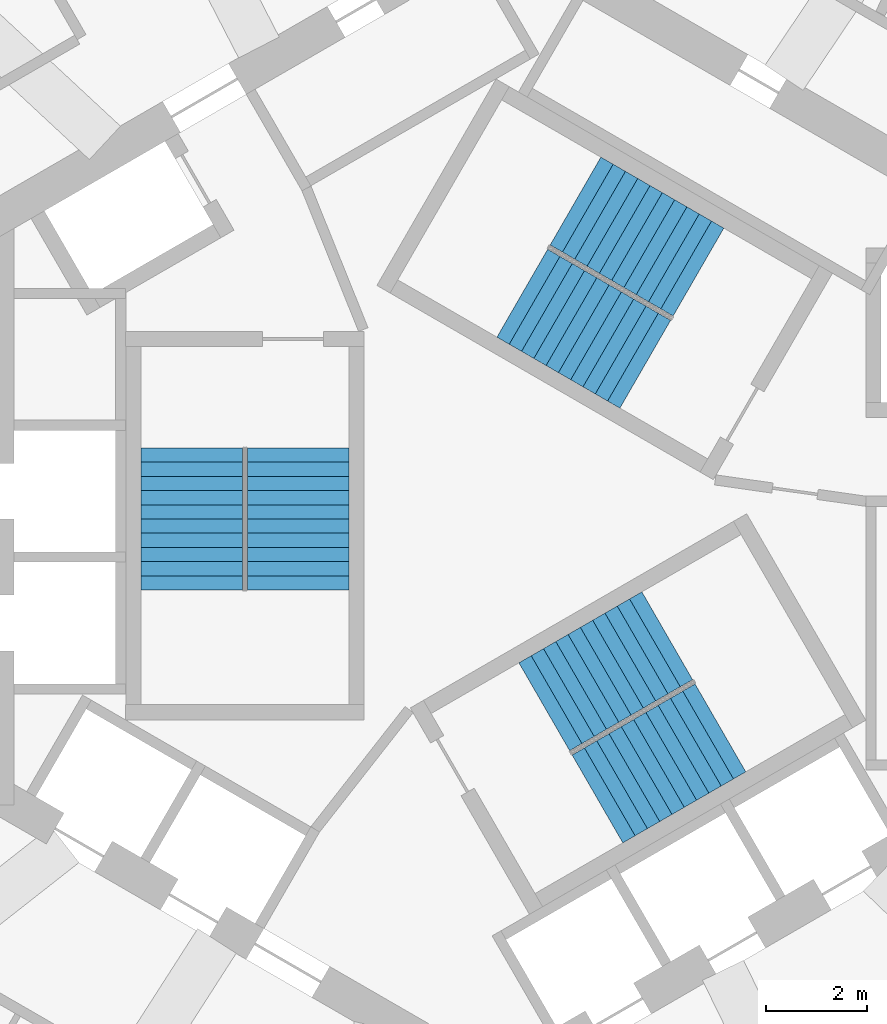
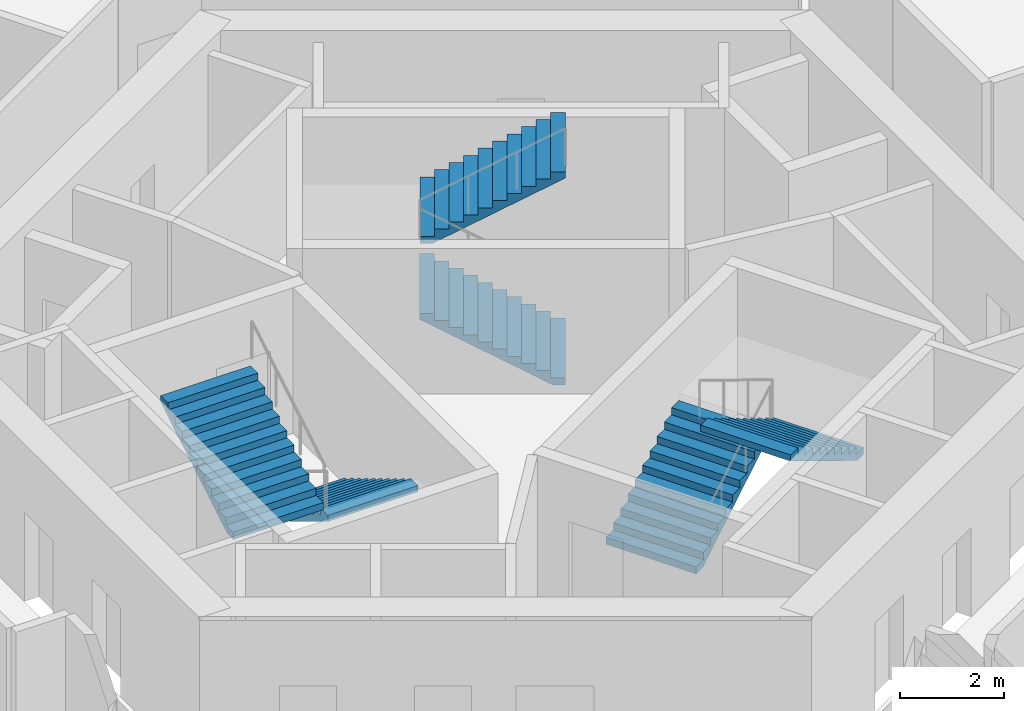
# One storey, part 9 of 11: 6 stair flights, 3 elements without a shape of their own.
"""IFC4 building model written with IfcOpenShell, lengths in metres."""

from ifc_helpers import new_model, si_unit, direction, frame, origin, place, context, subcontext, project, spatial, triangles, source, transform, mapped, material, type_object, element, aggregate, save


model = new_model("IFC4")

# Units and contexts
model_context = context("Model", 3, precision=1e-05, world=origin(), true_north=direction((0.0, 1.0)))
body_context = subcontext(model_context, "Body", "Model", "MODEL_VIEW")
ifc_project = project(units=[si_unit("LENGTHUNIT", "METRE"), si_unit("AREAUNIT", "SQUARE_METRE"), si_unit("VOLUMEUNIT", "CUBIC_METRE"), si_unit("PLANEANGLEUNIT", "RADIAN"), si_unit("MASSUNIT", "GRAM", prefix="KILO")], contexts=[model_context])

# Site, building, storey
site_placement = place(None, origin())
site = spatial("IfcSite", under=ifc_project, at=site_placement, CompositionType="ELEMENT")
building_placement = place(site_placement, origin())
building = spatial("IfcBuilding", under=site, at=building_placement, Name="Vanh Sen Convention Tower", CompositionType="ELEMENT")
storey_placement = place(building_placement, frame((0.0, 0.0, 289.39990234375)))
storey = spatial("IfcBuildingStorey", under=building, at=storey_placement, Name="L71", CompositionType="ELEMENT", Elevation=289.39990234375)

# Stair, stair flights
ifc_material_1 = material(Name="Concrete C50/60", Category="concrete")
stair_type_1 = type_object("IfcStairType", Name="Exit stair ST1 22 risers at 168.2", PredefinedType="HALF_TURN_STAIR", material=ifc_material_1)
stair_1_placement = place(storey_placement, origin())
stair_1 = element("IfcStair", 1, at=stair_1_placement, inside=storey, type_object=stair_type_1, Name="Exit stair ST1 L71", PredefinedType="HALF_TURN_STAIR")
ifc_material_2 = material(Name="Concrete C40/50", Category="concrete")
stair_flight_type = type_object("IfcStairFlightType", Name="Stair flight 2000", PredefinedType="STRAIGHT", material=ifc_material_2)
shared_shape = source(origin(), body_context, "Body", "Tessellation", [
    triangles([(0.24267578125, 1.0, 0.0), (0.0, 1.0, 0.0), (0.0, 1.0, 0.168212890625), (0.280029296875, 1.0, 0.168212890625), (0.280029296875, 1.0, 0.33642578125), (0.56005859375, 1.0, 0.33642578125), (0.56005859375, 1.0, 0.504638671875), (0.840087890625, 1.0, 0.504638671875), (0.840087890625, 1.0, 0.672607421875), (1.1201171875, 1.0, 0.672607421875), (1.1201171875, 1.0, 0.8408203125), (1.39990234375, 1.0, 0.8408203125), (1.39990234375, 1.0, 1.009033203125), (1.679931640625, 1.0, 1.009033203125), (1.679931640625, 1.0, 1.17724609375), (1.9599609375, 1.0, 1.17724609375), (1.9599609375, 1.0, 1.345458984375), (2.239990234375, 1.0, 1.345458984375), (2.239990234375, 1.0, 1.513671875), (2.52001953125, 1.0, 1.513671875), (2.52001953125, 1.0, 1.681884765625), (2.800048828125, 1.0, 1.681884765625), (2.800048828125, 1.0, 1.535888671875), (0.24267578125, -1.0, 0.0), (0.0, -1.0, 0.0), (0.0, -1.0, 0.168212890625), (0.280029296875, -1.0, 0.168212890625), (0.280029296875, -1.0, 0.33642578125), (0.56005859375, -1.0, 0.33642578125), (0.56005859375, -1.0, 0.504638671875), (0.840087890625, -1.0, 0.504638671875), (0.840087890625, -1.0, 0.672607421875), (1.1201171875, -1.0, 0.672607421875), (1.1201171875, -1.0, 0.8408203125), (1.39990234375, -1.0, 0.8408203125), (1.39990234375, -1.0, 1.009033203125), (1.679931640625, -1.0, 1.009033203125), (1.679931640625, -1.0, 1.17724609375), (1.9599609375, -1.0, 1.17724609375), (1.9599609375, -1.0, 1.345458984375), (2.239990234375, -1.0, 1.345458984375), (2.239990234375, -1.0, 1.513671875), (2.52001953125, -1.0, 1.513671875), (2.52001953125, -1.0, 1.681884765625), (2.800048828125, -1.0, 1.681884765625), (2.800048828125, -1.0, 1.535888671875), (0.0, 0.0400390625, 0.0), (0.0, 0.0390625, 0.0), (0.0, 0.0380859375, 0.0), (0.0, 0.037109375, 0.0), (0.0, 0.035888671875, 0.0), (0.0, 0.034912109375, 0.0), (0.0, 0.033935546875, 0.0), (0.0, 0.032958984375, 0.0), (0.0, 0.031982421875, 0.0), (0.0, 0.031005859375, 0.0), (0.0, 0.030029296875, 0.0), (0.0, 0.029052734375, 0.0), (0.0, 0.028076171875, 0.0), (0.0, 0.027099609375, 0.0), (0.0, 0.02587890625, 0.0), (0.0, 0.02490234375, 0.0), (0.0, 0.02392578125, 0.0), (0.0, 0.02294921875, 0.0), (0.0, 0.02197265625, 0.0), (0.0, 0.02099609375, 0.0), (0.0, 0.02001953125, 0.0), (0.0, 0.01904296875, 0.0), (0.0, 0.01806640625, 0.0), (0.0, 0.01708984375, 0.0), (0.0, 0.01611328125, 0.0), (0.0, 0.014892578125, 0.0), (0.0, 0.013916015625, 0.0), (0.0, 0.012939453125, 0.0), (0.0, 0.011962890625, 0.0), (0.0, 0.010986328125, 0.0), (0.0, 0.010009765625, 0.0), (0.0, 0.009033203125, 0.0), (0.0, 0.008056640625, 0.0), (0.0, 0.007080078125, 0.0), (0.0, 0.006103515625, 0.0), (0.0, 0.0048828125, 0.0), (0.0, 0.00390625, 0.0), (0.0, 0.0029296875, 0.0), (0.0, 0.001953125, 0.0), (0.0, 0.0009765625, 0.0), (0.0, 0.0, 0.0), (0.0, -0.0009765625, 0.0), (0.0, -0.001953125, 0.0), (0.0, -0.0029296875, 0.0), (0.0, -0.00390625, 0.0), (0.0, -0.0048828125, 0.0), (0.0, -0.006103515625, 0.0), (0.0, -0.007080078125, 0.0), (0.0, -0.008056640625, 0.0), (0.0, -0.009033203125, 0.0), (0.0, -0.010009765625, 0.0), (0.0, -0.010986328125, 0.0), (0.0, -0.011962890625, 0.0), (0.0, -0.012939453125, 0.0), (0.0, -0.013916015625, 0.0), (0.0, -0.014892578125, 0.0), (0.0, -0.01611328125, 0.0), (0.0, -0.01708984375, 0.0), (0.0, -0.01806640625, 0.0), (0.0, -0.01904296875, 0.0), (0.0, -0.02001953125, 0.0), (0.0, -0.02099609375, 0.0), (0.0, -0.02197265625, 0.0), (0.0, -0.02294921875, 0.0), (0.0, -0.02392578125, 0.0), (0.0, -0.02490234375, 0.0), (0.0, -0.02587890625, 0.0), (0.0, -0.027099609375, 0.0), (0.0, -0.028076171875, 0.0), (0.0, -0.029052734375, 0.0), (0.0, -0.030029296875, 0.0), (0.0, -0.031005859375, 0.0), (0.0, -0.031982421875, 0.0), (0.0, -0.032958984375, 0.0), (0.0, -0.033935546875, 0.0), (0.0, -0.034912109375, 0.0), (0.0, -0.035888671875, 0.0), (0.0, -0.037109375, 0.0), (0.0, -0.0380859375, 0.0), (0.0, -0.0390625, 0.0), (0.0, -0.0400390625, 0.0), (0.0, 0.0400390625, 0.168212890625), (0.0, 0.0390625, 0.168212890625), (0.0, 0.0380859375, 0.168212890625), (0.0, 0.037109375, 0.168212890625), (0.0, 0.035888671875, 0.168212890625), (0.0, 0.034912109375, 0.168212890625), (0.0, 0.033935546875, 0.168212890625), (0.0, 0.032958984375, 0.168212890625), (0.0, 0.031982421875, 0.168212890625), (0.0, 0.031005859375, 0.168212890625), (0.0, 0.030029296875, 0.168212890625), (0.0, 0.029052734375, 0.168212890625), (0.0, 0.028076171875, 0.168212890625), (0.0, 0.027099609375, 0.168212890625), (0.0, 0.02587890625, 0.168212890625), (0.0, 0.02490234375, 0.168212890625), (0.0, 0.02392578125, 0.168212890625), (0.0, 0.02294921875, 0.168212890625), (0.0, 0.02197265625, 0.168212890625), (0.0, 0.02099609375, 0.168212890625), (0.0, 0.02001953125, 0.168212890625), (0.0, 0.01904296875, 0.168212890625), (0.0, 0.01806640625, 0.168212890625), (0.0, 0.01708984375, 0.168212890625), (0.0, 0.01611328125, 0.168212890625), (0.0, 0.014892578125, 0.168212890625), (0.0, 0.013916015625, 0.168212890625), (0.0, 0.012939453125, 0.168212890625), (0.0, 0.011962890625, 0.168212890625), (0.0, 0.010986328125, 0.168212890625), (0.0, 0.010009765625, 0.168212890625), (0.0, 0.009033203125, 0.168212890625), (0.0, 0.008056640625, 0.168212890625), (0.0, 0.007080078125, 0.168212890625), (0.0, 0.006103515625, 0.168212890625), (0.0, 0.0048828125, 0.168212890625), (0.0, 0.00390625, 0.168212890625), (0.0, 0.0029296875, 0.168212890625), (0.0, 0.001953125, 0.168212890625), (0.0, 0.0009765625, 0.168212890625), (0.0, 0.0, 0.168212890625), (0.0, -0.0009765625, 0.168212890625), (0.0, -0.001953125, 0.168212890625), (0.0, -0.0029296875, 0.168212890625), (0.0, -0.00390625, 0.168212890625), (0.0, -0.0048828125, 0.168212890625), (0.0, -0.006103515625, 0.168212890625), (0.0, -0.007080078125, 0.168212890625), (0.0, -0.008056640625, 0.168212890625), (0.0, -0.009033203125, 0.168212890625), (0.0, -0.010009765625, 0.168212890625), (0.0, -0.010986328125, 0.168212890625), (0.0, -0.011962890625, 0.168212890625), (0.0, -0.012939453125, 0.168212890625), (0.0, -0.013916015625, 0.168212890625), (0.0, -0.014892578125, 0.168212890625), (0.0, -0.01611328125, 0.168212890625), (0.0, -0.01708984375, 0.168212890625), (0.0, -0.01806640625, 0.168212890625), (0.0, -0.01904296875, 0.168212890625), (0.0, -0.02001953125, 0.168212890625), (0.0, -0.02099609375, 0.168212890625), (0.0, -0.02197265625, 0.168212890625), (0.0, -0.02294921875, 0.168212890625), (0.0, -0.02392578125, 0.168212890625), (0.0, -0.02490234375, 0.168212890625), (0.0, -0.02587890625, 0.168212890625), (0.0, -0.027099609375, 0.168212890625), (0.0, -0.028076171875, 0.168212890625), (0.0, -0.029052734375, 0.168212890625), (0.0, -0.030029296875, 0.168212890625), (0.0, -0.031005859375, 0.168212890625), (0.0, -0.031982421875, 0.168212890625), (0.0, -0.032958984375, 0.168212890625), (0.0, -0.033935546875, 0.168212890625), (0.0, -0.034912109375, 0.168212890625), (0.0, -0.035888671875, 0.168212890625), (0.0, -0.037109375, 0.168212890625), (0.0, -0.0380859375, 0.168212890625), (0.0, -0.0390625, 0.168212890625), (0.0, -0.0400390625, 0.168212890625), (0.280029296875, 0.0, 0.168212890625), (0.280029296875, 0.0, 0.33642578125), (0.56005859375, 0.0, 0.33642578125), (0.56005859375, 0.0, 0.504638671875), (0.840087890625, 0.0, 0.504638671875), (0.840087890625, 0.0, 0.672607421875), (1.1201171875, 0.0, 0.672607421875), (1.1201171875, 0.0, 0.8408203125), (1.39990234375, 0.0, 0.8408203125), (1.39990234375, 0.0, 1.009033203125), (1.679931640625, 0.0, 1.009033203125), (1.679931640625, 0.0, 1.17724609375), (1.9599609375, 0.0, 1.17724609375), (1.9599609375, 0.0, 1.345458984375), (2.239990234375, 0.0, 1.345458984375), (2.239990234375, 0.0, 1.513671875), (2.52001953125, 0.0, 1.513671875), (2.52001953125, 0.0, 1.681884765625), (2.800048828125, 0.0400390625, 1.681884765625), (2.800048828125, 0.0390625, 1.681884765625), (2.800048828125, 0.0380859375, 1.681884765625), (2.800048828125, 0.037109375, 1.681884765625), (2.800048828125, 0.035888671875, 1.681884765625), (2.800048828125, 0.034912109375, 1.681884765625), (2.800048828125, 0.033935546875, 1.681884765625), (2.800048828125, 0.032958984375, 1.681884765625), (2.800048828125, 0.031982421875, 1.681884765625), (2.800048828125, 0.031005859375, 1.681884765625), (2.800048828125, 0.030029296875, 1.681884765625), (2.800048828125, 0.029052734375, 1.681884765625), (2.800048828125, 0.028076171875, 1.681884765625), (2.800048828125, 0.027099609375, 1.681884765625), (2.800048828125, 0.02587890625, 1.681884765625), (2.800048828125, 0.02490234375, 1.681884765625), (2.800048828125, 0.02392578125, 1.681884765625), (2.800048828125, 0.02294921875, 1.681884765625), (2.800048828125, 0.02197265625, 1.681884765625), (2.800048828125, 0.02099609375, 1.681884765625), (2.800048828125, 0.02001953125, 1.681884765625), (2.800048828125, 0.01904296875, 1.681884765625), (2.800048828125, 0.01806640625, 1.681884765625), (2.800048828125, 0.01708984375, 1.681884765625), (2.800048828125, 0.01611328125, 1.681884765625), (2.800048828125, 0.014892578125, 1.681884765625), (2.800048828125, 0.013916015625, 1.681884765625), (2.800048828125, 0.012939453125, 1.681884765625), (2.800048828125, 0.011962890625, 1.681884765625), (2.800048828125, 0.010986328125, 1.681884765625), (2.800048828125, 0.010009765625, 1.681884765625), (2.800048828125, 0.009033203125, 1.681884765625), (2.800048828125, 0.008056640625, 1.681884765625), (2.800048828125, 0.007080078125, 1.681884765625), (2.800048828125, 0.006103515625, 1.681884765625), (2.800048828125, 0.0048828125, 1.681884765625), (2.800048828125, 0.00390625, 1.681884765625), (2.800048828125, 0.0029296875, 1.681884765625), (2.800048828125, 0.001953125, 1.681884765625), (2.800048828125, 0.0009765625, 1.681884765625), (2.800048828125, 0.0, 1.681884765625), (2.800048828125, -0.0009765625, 1.681884765625), (2.800048828125, -0.001953125, 1.681884765625), (2.800048828125, -0.0029296875, 1.681884765625), (2.800048828125, -0.00390625, 1.681884765625), (2.800048828125, -0.0048828125, 1.681884765625), (2.800048828125, -0.006103515625, 1.681884765625), (2.800048828125, -0.007080078125, 1.681884765625), (2.800048828125, -0.008056640625, 1.681884765625), (2.800048828125, -0.009033203125, 1.681884765625), (2.800048828125, -0.010009765625, 1.681884765625), (2.800048828125, -0.010986328125, 1.681884765625), (2.800048828125, -0.011962890625, 1.681884765625), (2.800048828125, -0.012939453125, 1.681884765625), (2.800048828125, -0.013916015625, 1.681884765625), (2.800048828125, -0.014892578125, 1.681884765625), (2.800048828125, -0.01611328125, 1.681884765625), (2.800048828125, -0.01708984375, 1.681884765625), (2.800048828125, -0.01806640625, 1.681884765625), (2.800048828125, -0.01904296875, 1.681884765625), (2.800048828125, -0.02001953125, 1.681884765625), (2.800048828125, -0.02099609375, 1.681884765625), (2.800048828125, -0.02197265625, 1.681884765625), (2.800048828125, -0.02294921875, 1.681884765625), (2.800048828125, -0.02392578125, 1.681884765625), (2.800048828125, -0.02490234375, 1.681884765625), (2.800048828125, -0.02587890625, 1.681884765625), (2.800048828125, -0.027099609375, 1.681884765625), (2.800048828125, -0.028076171875, 1.681884765625), (2.800048828125, -0.029052734375, 1.681884765625), (2.800048828125, -0.030029296875, 1.681884765625), (2.800048828125, -0.031005859375, 1.681884765625), (2.800048828125, -0.031982421875, 1.681884765625), (2.800048828125, -0.032958984375, 1.681884765625), (2.800048828125, -0.033935546875, 1.681884765625), (2.800048828125, -0.034912109375, 1.681884765625), (2.800048828125, -0.035888671875, 1.681884765625), (2.800048828125, -0.037109375, 1.681884765625), (2.800048828125, -0.0380859375, 1.681884765625), (2.800048828125, -0.0390625, 1.681884765625), (2.800048828125, -0.0400390625, 1.681884765625), (2.800048828125, 0.0400390625, 1.535888671875), (2.800048828125, 0.0390625, 1.535888671875), (2.800048828125, 0.0380859375, 1.535888671875), (2.800048828125, 0.037109375, 1.535888671875), (2.800048828125, 0.035888671875, 1.535888671875), (2.800048828125, 0.034912109375, 1.535888671875), (2.800048828125, 0.033935546875, 1.535888671875), (2.800048828125, 0.032958984375, 1.535888671875), (2.800048828125, 0.031982421875, 1.535888671875), (2.800048828125, 0.031005859375, 1.535888671875), (2.800048828125, 0.030029296875, 1.535888671875), (2.800048828125, 0.029052734375, 1.535888671875), (2.800048828125, 0.028076171875, 1.535888671875), (2.800048828125, 0.027099609375, 1.535888671875), (2.800048828125, 0.02587890625, 1.535888671875), (2.800048828125, 0.02490234375, 1.535888671875), (2.800048828125, 0.02392578125, 1.535888671875), (2.800048828125, 0.02294921875, 1.535888671875), (2.800048828125, 0.02197265625, 1.535888671875), (2.800048828125, 0.02099609375, 1.535888671875), (2.800048828125, 0.02001953125, 1.535888671875), (2.800048828125, 0.01904296875, 1.535888671875), (2.800048828125, 0.01806640625, 1.535888671875), (2.800048828125, 0.01708984375, 1.535888671875), (2.800048828125, 0.01611328125, 1.535888671875), (2.800048828125, 0.014892578125, 1.535888671875), (2.800048828125, 0.013916015625, 1.535888671875), (2.800048828125, 0.012939453125, 1.535888671875), (2.800048828125, 0.011962890625, 1.535888671875), (2.800048828125, 0.010986328125, 1.535888671875), (2.800048828125, 0.010009765625, 1.535888671875), (2.800048828125, 0.009033203125, 1.535888671875), (2.800048828125, 0.008056640625, 1.535888671875), (2.800048828125, 0.007080078125, 1.535888671875), (2.800048828125, 0.006103515625, 1.535888671875), (2.800048828125, 0.0048828125, 1.535888671875), (2.800048828125, 0.00390625, 1.535888671875), (2.800048828125, 0.0029296875, 1.535888671875), (2.800048828125, 0.001953125, 1.535888671875), (2.800048828125, 0.0009765625, 1.535888671875), (2.800048828125, 0.0, 1.535888671875), (2.800048828125, -0.0009765625, 1.535888671875), (2.800048828125, -0.001953125, 1.535888671875), (2.800048828125, -0.0029296875, 1.535888671875), (2.800048828125, -0.00390625, 1.535888671875), (2.800048828125, -0.0048828125, 1.535888671875), (2.800048828125, -0.006103515625, 1.535888671875), (2.800048828125, -0.007080078125, 1.535888671875), (2.800048828125, -0.008056640625, 1.535888671875), (2.800048828125, -0.009033203125, 1.535888671875), (2.800048828125, -0.010009765625, 1.535888671875), (2.800048828125, -0.010986328125, 1.535888671875), (2.800048828125, -0.011962890625, 1.535888671875), (2.800048828125, -0.012939453125, 1.535888671875), (2.800048828125, -0.013916015625, 1.535888671875), (2.800048828125, -0.014892578125, 1.535888671875), (2.800048828125, -0.01611328125, 1.535888671875), (2.800048828125, -0.01708984375, 1.535888671875), (2.800048828125, -0.01806640625, 1.535888671875), (2.800048828125, -0.01904296875, 1.535888671875), (2.800048828125, -0.02001953125, 1.535888671875), (2.800048828125, -0.02099609375, 1.535888671875), (2.800048828125, -0.02197265625, 1.535888671875), (2.800048828125, -0.02294921875, 1.535888671875), (2.800048828125, -0.02392578125, 1.535888671875), (2.800048828125, -0.02490234375, 1.535888671875), (2.800048828125, -0.02587890625, 1.535888671875), (2.800048828125, -0.027099609375, 1.535888671875), (2.800048828125, -0.028076171875, 1.535888671875), (2.800048828125, -0.029052734375, 1.535888671875), (2.800048828125, -0.030029296875, 1.535888671875), (2.800048828125, -0.031005859375, 1.535888671875), (2.800048828125, -0.031982421875, 1.535888671875), (2.800048828125, -0.032958984375, 1.535888671875), (2.800048828125, -0.033935546875, 1.535888671875), (2.800048828125, -0.034912109375, 1.535888671875), (2.800048828125, -0.035888671875, 1.535888671875), (2.800048828125, -0.037109375, 1.535888671875), (2.800048828125, -0.0380859375, 1.535888671875), (2.800048828125, -0.0390625, 1.535888671875), (2.800048828125, -0.0400390625, 1.535888671875), (0.24267578125, 0.0, 0.0)], [[1, 2, 3], [1, 3, 4], [4, 5, 6], [1, 4, 6], [6, 7, 8], [1, 6, 8], [8, 9, 10], [1, 8, 10], [10, 11, 12], [1, 10, 12], [12, 13, 14], [1, 12, 14], [14, 15, 16], [1, 14, 16], [16, 17, 18], [1, 16, 18], [18, 19, 20], [1, 18, 20], [20, 21, 22], [1, 20, 22], [22, 23, 1], [24, 26, 25], [24, 27, 26], [27, 29, 28], [24, 29, 27], [29, 31, 30], [24, 31, 29], [31, 33, 32], [24, 33, 31], [33, 35, 34], [24, 35, 33], [35, 37, 36], [24, 37, 35], [37, 39, 38], [24, 39, 37], [39, 41, 40], [24, 41, 39], [41, 43, 42], [24, 43, 41], [43, 45, 44], [24, 45, 43], [45, 24, 46], [2, 128, 3], [2, 47, 128], [47, 129, 128], [47, 48, 129], [48, 130, 129], [48, 49, 130], [49, 131, 130], [49, 50, 131], [50, 132, 131], [50, 51, 132], [51, 133, 132], [51, 52, 133], [52, 134, 133], [52, 53, 134], [53, 135, 134], [53, 54, 135], [54, 136, 135], [54, 55, 136], [55, 137, 136], [55, 56, 137], [56, 138, 137], [56, 57, 138], [57, 139, 138], [57, 58, 139], [58, 140, 139], [58, 59, 140], [59, 141, 140], [59, 60, 141], [60, 142, 141], [60, 61, 142], [61, 143, 142], [61, 62, 143], [62, 144, 143], [62, 63, 144], [63, 145, 144], [63, 64, 145], [64, 146, 145], [64, 65, 146], [65, 147, 146], [65, 66, 147], [66, 148, 147], [66, 67, 148], [67, 149, 148], [67, 68, 149], [68, 150, 149], [68, 69, 150], [69, 151, 150], [69, 70, 151], [70, 152, 151], [70, 71, 152], [71, 153, 152], [71, 72, 153], [72, 154, 153], [72, 73, 154], [73, 155, 154], [73, 74, 155], [74, 156, 155], [74, 75, 156], [75, 157, 156], [75, 76, 157], [76, 158, 157], [76, 77, 158], [77, 159, 158], [77, 78, 159], [78, 160, 159], [78, 79, 160], [79, 161, 160], [79, 80, 161], [80, 162, 161], [80, 81, 162], [81, 163, 162], [81, 82, 163], [82, 164, 163], [82, 83, 164], [83, 165, 164], [83, 84, 165], [84, 166, 165], [84, 85, 166], [85, 167, 166], [85, 86, 167], [86, 168, 167], [86, 87, 168], [87, 88, 168], [168, 88, 169], [88, 89, 169], [169, 89, 170], [89, 90, 170], [170, 90, 171], [90, 91, 171], [171, 91, 172], [91, 92, 172], [172, 92, 173], [92, 93, 173], [173, 93, 174], [93, 94, 174], [174, 94, 175], [94, 95, 175], [175, 95, 176], [95, 96, 176], [176, 96, 177], [96, 97, 177], [177, 97, 178], [97, 98, 178], [178, 98, 179], [98, 99, 179], [179, 99, 180], [99, 100, 180], [180, 100, 181], [100, 101, 181], [181, 101, 182], [101, 102, 182], [182, 102, 183], [102, 103, 183], [183, 103, 184], [103, 104, 184], [184, 104, 185], [104, 105, 185], [185, 105, 186], [105, 106, 186], [186, 106, 187], [106, 107, 187], [187, 107, 188], [107, 108, 188], [188, 108, 189], [108, 109, 189], [189, 109, 190], [109, 110, 190], [190, 110, 191], [110, 111, 191], [191, 111, 192], [111, 112, 192], [192, 112, 193], [112, 113, 193], [193, 113, 194], [113, 114, 194], [194, 114, 195], [114, 115, 195], [195, 115, 196], [115, 116, 196], [196, 116, 197], [116, 117, 197], [197, 117, 198], [117, 118, 198], [198, 118, 199], [118, 119, 199], [199, 119, 200], [119, 120, 200], [200, 120, 201], [120, 121, 201], [201, 121, 202], [121, 122, 202], [202, 122, 203], [122, 123, 203], [203, 123, 204], [123, 124, 204], [204, 124, 205], [124, 125, 205], [205, 125, 206], [125, 126, 206], [206, 126, 207], [126, 127, 207], [207, 127, 208], [127, 25, 208], [208, 25, 26], [4, 3, 128], [4, 128, 129], [4, 129, 130], [4, 130, 131], [4, 131, 132], [4, 132, 133], [4, 133, 134], [4, 134, 135], [4, 135, 136], [4, 136, 137], [4, 137, 138], [4, 138, 139], [4, 139, 140], [4, 140, 141], [4, 141, 142], [4, 142, 143], [4, 143, 144], [4, 144, 145], [4, 145, 146], [4, 146, 147], [4, 147, 148], [4, 148, 149], [4, 149, 150], [4, 150, 151], [4, 151, 152], [4, 152, 153], [4, 153, 154], [4, 154, 155], [4, 155, 156], [4, 156, 157], [4, 157, 158], [4, 158, 159], [4, 159, 160], [4, 160, 161], [4, 161, 162], [4, 162, 163], [4, 163, 164], [4, 164, 165], [4, 165, 166], [4, 166, 167], [4, 167, 168], [27, 168, 169], [27, 169, 170], [27, 170, 171], [27, 171, 172], [27, 172, 173], [27, 173, 174], [27, 174, 175], [27, 175, 176], [27, 176, 177], [27, 177, 178], [27, 178, 179], [27, 179, 180], [27, 180, 181], [27, 181, 182], [27, 182, 183], [27, 183, 184], [27, 184, 185], [27, 185, 186], [27, 186, 187], [27, 187, 188], [27, 188, 189], [27, 189, 190], [27, 190, 191], [27, 191, 192], [27, 192, 193], [27, 193, 194], [27, 194, 195], [27, 195, 196], [27, 196, 197], [27, 197, 198], [27, 198, 199], [27, 199, 200], [27, 200, 201], [27, 201, 202], [27, 202, 203], [27, 203, 204], [27, 204, 205], [27, 205, 206], [27, 206, 207], [27, 207, 208], [27, 208, 26], [4, 168, 209], [27, 209, 168], [4, 210, 5], [4, 209, 210], [209, 27, 210], [210, 27, 28], [5, 211, 6], [5, 210, 211], [210, 28, 211], [211, 28, 29], [6, 212, 7], [6, 211, 212], [211, 29, 212], [212, 29, 30], [7, 213, 8], [7, 212, 213], [212, 30, 213], [213, 30, 31], [8, 214, 9], [8, 213, 214], [213, 31, 214], [214, 31, 32], [9, 215, 10], [9, 214, 215], [214, 32, 215], [215, 32, 33], [10, 216, 11], [10, 215, 216], [215, 33, 216], [216, 33, 34], [11, 217, 12], [11, 216, 217], [216, 34, 217], [217, 34, 35], [12, 218, 13], [12, 217, 218], [217, 35, 218], [218, 35, 36], [13, 219, 14], [13, 218, 219], [218, 36, 219], [219, 36, 37], [14, 220, 15], [14, 219, 220], [219, 37, 220], [220, 37, 38], [15, 221, 16], [15, 220, 221], [220, 38, 221], [221, 38, 39], [16, 222, 17], [16, 221, 222], [221, 39, 222], [222, 39, 40], [17, 223, 18], [17, 222, 223], [222, 40, 223], [223, 40, 41], [18, 224, 19], [18, 223, 224], [223, 41, 224], [224, 41, 42], [19, 225, 20], [19, 224, 225], [224, 42, 225], [225, 42, 43], [20, 226, 21], [20, 225, 226], [225, 43, 226], [226, 43, 44], [21, 227, 22], [21, 228, 227], [21, 229, 228], [21, 230, 229], [21, 231, 230], [21, 232, 231], [21, 233, 232], [21, 234, 233], [21, 235, 234], [21, 236, 235], [21, 237, 236], [21, 238, 237], [21, 239, 238], [21, 240, 239], [21, 241, 240], [21, 242, 241], [21, 243, 242], [21, 244, 243], [21, 245, 244], [21, 246, 245], [21, 247, 246], [21, 248, 247], [21, 249, 248], [21, 250, 249], [21, 251, 250], [21, 252, 251], [21, 253, 252], [21, 254, 253], [21, 255, 254], [21, 256, 255], [21, 257, 256], [21, 258, 257], [21, 259, 258], [21, 260, 259], [21, 261, 260], [21, 262, 261], [21, 263, 262], [21, 264, 263], [21, 265, 264], [21, 266, 265], [21, 267, 266], [44, 268, 267], [44, 269, 268], [44, 270, 269], [44, 271, 270], [44, 272, 271], [44, 273, 272], [44, 274, 273], [44, 275, 274], [44, 276, 275], [44, 277, 276], [44, 278, 277], [44, 279, 278], [44, 280, 279], [44, 281, 280], [44, 282, 281], [44, 283, 282], [44, 284, 283], [44, 285, 284], [44, 286, 285], [44, 287, 286], [44, 288, 287], [44, 289, 288], [44, 290, 289], [44, 291, 290], [44, 292, 291], [44, 293, 292], [44, 294, 293], [44, 295, 294], [44, 296, 295], [44, 297, 296], [44, 298, 297], [44, 299, 298], [44, 300, 299], [44, 301, 300], [44, 302, 301], [44, 303, 302], [44, 304, 303], [44, 305, 304], [44, 306, 305], [44, 307, 306], [44, 45, 307], [21, 226, 267], [44, 267, 226], [22, 308, 23], [22, 227, 308], [227, 309, 308], [227, 228, 309], [228, 310, 309], [228, 229, 310], [229, 311, 310], [229, 230, 311], [230, 312, 311], [230, 231, 312], [231, 313, 312], [231, 232, 313], [232, 314, 313], [232, 233, 314], [233, 315, 314], [233, 234, 315], [234, 316, 315], [234, 235, 316], [235, 317, 316], [235, 236, 317], [236, 318, 317], [236, 237, 318], [237, 319, 318], [237, 238, 319], [238, 320, 319], [238, 239, 320], [239, 321, 320], [239, 240, 321], [240, 322, 321], [240, 241, 322], [241, 323, 322], [241, 242, 323], [242, 324, 323], [242, 243, 324], [243, 325, 324], [243, 244, 325], [244, 326, 325], [244, 245, 326], [245, 327, 326], [245, 246, 327], [246, 328, 327], [246, 247, 328], [247, 329, 328], [247, 248, 329], [248, 330, 329], [248, 249, 330], [249, 331, 330], [249, 250, 331], [250, 332, 331], [250, 251, 332], [251, 333, 332], [251, 252, 333], [252, 334, 333], [252, 253, 334], [253, 335, 334], [253, 254, 335], [254, 336, 335], [254, 255, 336], [255, 337, 336], [255, 256, 337], [256, 338, 337], [256, 257, 338], [257, 339, 338], [257, 258, 339], [258, 340, 339], [258, 259, 340], [259, 341, 340], [259, 260, 341], [260, 342, 341], [260, 261, 342], [261, 343, 342], [261, 262, 343], [262, 344, 343], [262, 263, 344], [263, 345, 344], [263, 264, 345], [264, 346, 345], [264, 265, 346], [265, 347, 346], [265, 266, 347], [266, 348, 347], [266, 267, 348], [267, 268, 348], [348, 268, 349], [268, 269, 349], [349, 269, 350], [269, 270, 350], [350, 270, 351], [270, 271, 351], [351, 271, 352], [271, 272, 352], [352, 272, 353], [272, 273, 353], [353, 273, 354], [273, 274, 354], [354, 274, 355], [274, 275, 355], [355, 275, 356], [275, 276, 356], [356, 276, 357], [276, 277, 357], [357, 277, 358], [277, 278, 358], [358, 278, 359], [278, 279, 359], [359, 279, 360], [279, 280, 360], [360, 280, 361], [280, 281, 361], [361, 281, 362], [281, 282, 362], [362, 282, 363], [282, 283, 363], [363, 283, 364], [283, 284, 364], [364, 284, 365], [284, 285, 365], [365, 285, 366], [285, 286, 366], [366, 286, 367], [286, 287, 367], [367, 287, 368], [287, 288, 368], [368, 288, 369], [288, 289, 369], [369, 289, 370], [289, 290, 370], [370, 290, 371], [290, 291, 371], [371, 291, 372], [291, 292, 372], [372, 292, 373], [292, 293, 373], [373, 293, 374], [293, 294, 374], [374, 294, 375], [294, 295, 375], [375, 295, 376], [295, 296, 376], [376, 296, 377], [296, 297, 377], [377, 297, 378], [297, 298, 378], [378, 298, 379], [298, 299, 379], [379, 299, 380], [299, 300, 380], [380, 300, 381], [300, 301, 381], [381, 301, 382], [301, 302, 382], [382, 302, 383], [302, 303, 383], [383, 303, 384], [303, 304, 384], [384, 304, 385], [304, 305, 385], [385, 305, 386], [305, 306, 386], [386, 306, 387], [306, 307, 387], [387, 307, 388], [307, 45, 388], [388, 45, 46], [1, 23, 308], [1, 308, 309], [1, 309, 310], [1, 310, 311], [1, 311, 312], [1, 312, 313], [1, 313, 314], [1, 314, 315], [1, 315, 316], [1, 316, 317], [1, 317, 318], [1, 318, 319], [1, 319, 320], [1, 320, 321], [1, 321, 322], [1, 322, 323], [1, 323, 324], [1, 324, 325], [1, 325, 326], [1, 326, 327], [1, 327, 328], [1, 328, 329], [1, 329, 330], [1, 330, 331], [1, 331, 332], [1, 332, 333], [1, 333, 334], [1, 334, 335], [1, 335, 336], [1, 336, 337], [1, 337, 338], [1, 338, 339], [1, 339, 340], [1, 340, 341], [1, 341, 342], [1, 342, 343], [1, 343, 344], [1, 344, 345], [1, 345, 346], [1, 346, 347], [1, 347, 348], [24, 348, 349], [24, 349, 350], [24, 350, 351], [24, 351, 352], [24, 352, 353], [24, 353, 354], [24, 354, 355], [24, 355, 356], [24, 356, 357], [24, 357, 358], [24, 358, 359], [24, 359, 360], [24, 360, 361], [24, 361, 362], [24, 362, 363], [24, 363, 364], [24, 364, 365], [24, 365, 366], [24, 366, 367], [24, 367, 368], [24, 368, 369], [24, 369, 370], [24, 370, 371], [24, 371, 372], [24, 372, 373], [24, 373, 374], [24, 374, 375], [24, 375, 376], [24, 376, 377], [24, 377, 378], [24, 378, 379], [24, 379, 380], [24, 380, 381], [24, 381, 382], [24, 382, 383], [24, 383, 384], [24, 384, 385], [24, 385, 386], [24, 386, 387], [24, 387, 388], [24, 388, 46], [1, 348, 389], [24, 389, 348], [1, 47, 2], [1, 48, 47], [1, 49, 48], [1, 50, 49], [1, 51, 50], [1, 52, 51], [1, 53, 52], [1, 54, 53], [1, 55, 54], [1, 56, 55], [1, 57, 56], [1, 58, 57], [1, 59, 58], [1, 60, 59], [1, 61, 60], [1, 62, 61], [1, 63, 62], [1, 64, 63], [1, 65, 64], [1, 66, 65], [1, 67, 66], [1, 68, 67], [1, 69, 68], [1, 70, 69], [1, 71, 70], [1, 72, 71], [1, 73, 72], [1, 74, 73], [1, 75, 74], [1, 76, 75], [1, 77, 76], [1, 78, 77], [1, 79, 78], [1, 80, 79], [1, 81, 80], [1, 82, 81], [1, 83, 82], [1, 84, 83], [1, 85, 84], [1, 86, 85], [1, 87, 86], [24, 88, 87], [24, 89, 88], [24, 90, 89], [24, 91, 90], [24, 92, 91], [24, 93, 92], [24, 94, 93], [24, 95, 94], [24, 96, 95], [24, 97, 96], [24, 98, 97], [24, 99, 98], [24, 100, 99], [24, 101, 100], [24, 102, 101], [24, 103, 102], [24, 104, 103], [24, 105, 104], [24, 106, 105], [24, 107, 106], [24, 108, 107], [24, 109, 108], [24, 110, 109], [24, 111, 110], [24, 112, 111], [24, 113, 112], [24, 114, 113], [24, 115, 114], [24, 116, 115], [24, 117, 116], [24, 118, 117], [24, 119, 118], [24, 120, 119], [24, 121, 120], [24, 122, 121], [24, 123, 122], [24, 124, 123], [24, 125, 124], [24, 126, 125], [24, 127, 126], [24, 25, 127], [1, 389, 87], [24, 87, 389]], closed=True),
])
stair_flight_1_placement = place(storey_placement, frame((2.94580078125, 2.802490234375, 0.0), z_axis=(0.0, 0.0, 1.0), x_axis=(-0.866025403784, 0.5, 0.0)))
stair_flight_1 = element("IfcStairFlight", 2, at=stair_flight_1_placement, type_object=stair_flight_type, Name="ST1 flight 1", NumberOfRisers=11, NumberOfTreads=10, PredefinedType="STRAIGHT", RiserHeight=0.168181818, TreadLength=0.28, context=body_context, shape_type="MappedRepresentation", body=[
    mapped(shared_shape, transform((0.0, 0.0, 0.0))),
])
stair_flight_2_placement = place(storey_placement, frame((1.571044921875, 6.021240234375, 1.85009765625), z_axis=(0.0, 0.0, 1.0), x_axis=(0.866025403784, -0.5, 0.0)))
stair_flight_2 = element("IfcStairFlight", 3, at=stair_flight_2_placement, type_object=stair_flight_type, Name="ST1 flight 2", NumberOfRisers=11, NumberOfTreads=10, PredefinedType="STRAIGHT", RiserHeight=0.168181818, TreadLength=0.28, context=body_context, shape_type="MappedRepresentation", body=[
    mapped(shared_shape, transform((0.0, 0.0, 0.0))),
])
aggregate(stair_1, [stair_flight_1, stair_flight_2])

stair_type_2 = type_object("IfcStairType", Name="Exit stair ST2 22 risers at 168.2", PredefinedType="HALF_TURN_STAIR", material=ifc_material_1)
stair_2_placement = place(storey_placement, origin())
stair_2 = element("IfcStair", 4, at=stair_2_placement, inside=storey, type_object=stair_type_2, Name="Exit stair ST2 L71", PredefinedType="HALF_TURN_STAIR")
stair_flight_3_placement = place(storey_placement, frame((-3.89990234375, 1.14990234375, 0.0), z_axis=(0.0, 0.0, 1.0), x_axis=(0.0, -1.0, 0.0)))
stair_flight_3 = element("IfcStairFlight", 5, at=stair_flight_3_placement, type_object=stair_flight_type, Name="ST2 flight 1", NumberOfRisers=11, NumberOfTreads=10, PredefinedType="STRAIGHT", RiserHeight=0.168181818, TreadLength=0.28, context=body_context, shape_type="MappedRepresentation", body=[
    mapped(shared_shape, transform((0.0, 0.0, 0.0))),
])
stair_flight_4_placement = place(storey_placement, frame((-6.0, -1.64990234375, 1.85009765625), z_axis=(0.0, 0.0, 1.0), x_axis=(0.0, 1.0, 0.0)))
stair_flight_4 = element("IfcStairFlight", 6, at=stair_flight_4_placement, type_object=stair_flight_type, Name="ST2 flight 2", NumberOfRisers=11, NumberOfTreads=10, PredefinedType="STRAIGHT", RiserHeight=0.168181818, TreadLength=0.28, context=body_context, shape_type="MappedRepresentation", body=[
    mapped(shared_shape, transform((0.0, 0.0, 0.0))),
])
aggregate(stair_2, [stair_flight_3, stair_flight_4])

stair_type_3 = type_object("IfcStairType", Name="Exit stair ST3 22 risers at 168.2", PredefinedType="HALF_TURN_STAIR", material=ifc_material_1)
stair_3_placement = place(storey_placement, origin())
stair_3 = element("IfcStair", 7, at=stair_3_placement, inside=storey, type_object=stair_type_3, Name="Exit stair ST3 L71", PredefinedType="HALF_TURN_STAIR")
stair_flight_5_placement = place(storey_placement, frame((0.9541015625, -3.952392578125, 0.0), z_axis=(0.0, 0.0, 1.0), x_axis=(0.866025403784, 0.5, 0.0)))
stair_flight_5 = element("IfcStairFlight", 8, at=stair_flight_5_placement, type_object=stair_flight_type, Name="ST3 flight 1", NumberOfRisers=11, NumberOfTreads=10, PredefinedType="STRAIGHT", RiserHeight=0.168181818, TreadLength=0.28, context=body_context, shape_type="MappedRepresentation", body=[
    mapped(shared_shape, transform((0.0, 0.0, 0.0))),
])
stair_flight_6_placement = place(storey_placement, frame((4.428955078125, -4.37109375, 1.85009765625), z_axis=(0.0, 0.0, 1.0), x_axis=(-0.866025403784, -0.5, 0.0)))
stair_flight_6 = element("IfcStairFlight", 9, at=stair_flight_6_placement, type_object=stair_flight_type, Name="ST3 flight 2", NumberOfRisers=11, NumberOfTreads=10, PredefinedType="STRAIGHT", RiserHeight=0.168181818, TreadLength=0.28, context=body_context, shape_type="MappedRepresentation", body=[
    mapped(shared_shape, transform((0.0, 0.0, 0.0))),
])
aggregate(stair_3, [stair_flight_5, stair_flight_6])

save(model, "model.ifc")
